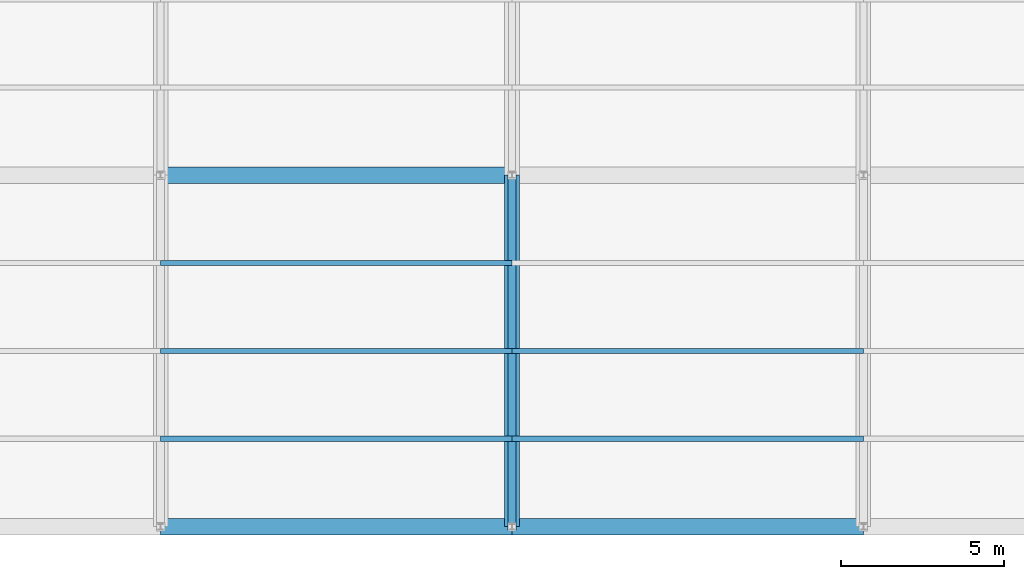
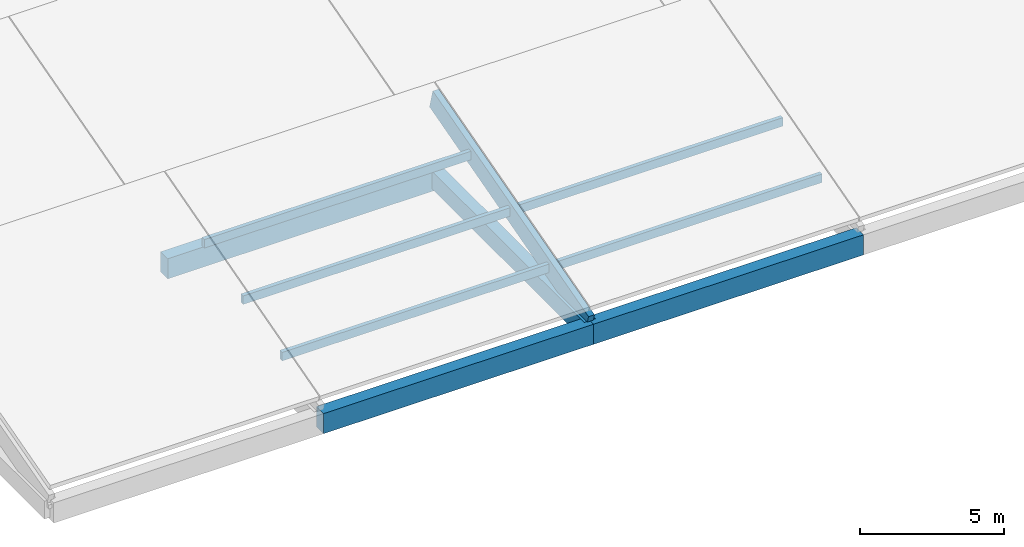
# One storey, part 2 of 112: 6 members, 4 beams.
"""IFC4 building model written with IfcOpenShell, lengths in metres."""

from ifc_helpers import new_model, si_unit, direction, frame, origin, origin_2d, place, context, subcontext, project, spatial, rectangle, extrude, material, material_profile, profile_set, type_object, element, save


model = new_model("IFC4")

# Units and contexts
model_context = context("Model", 3, precision=1e-05, world=origin(), true_north=direction((0.0, 1.0)))
body_context = subcontext(model_context, "Body", "Model", "MODEL_VIEW")
ifc_project = project(units=[si_unit("LENGTHUNIT", "METRE"), si_unit("AREAUNIT", "SQUARE_METRE"), si_unit("VOLUMEUNIT", "CUBIC_METRE"), si_unit("PLANEANGLEUNIT", "RADIAN"), si_unit("MASSUNIT", "GRAM", prefix="KILO")], contexts=[model_context])

# Site, building, storey
site_placement = place(None, origin())
site = spatial("IfcSite", under=ifc_project, at=site_placement, CompositionType="ELEMENT")
building_placement = place(site_placement, origin())
building = spatial("IfcBuilding", under=site, at=building_placement, Name="Zwinboog Wholesale Market", CompositionType="ELEMENT")
storey_placement = place(building_placement, frame((0.0, 0.0, 19.080078125)))
storey = spatial("IfcBuildingStorey", under=building, at=storey_placement, Name="Roof", CompositionType="ELEMENT", Elevation=19.080078125)

# Beams
ifc_material_1 = material(Name="Precast concrete C45/55", Category="concrete")
ifc_material_profile_1 = material_profile(ifc_material_1, rectangle(XDim=0.5, YDim=0.85009765625, at=origin_2d()), Name="PC 500x850")
ifc_profile_set_1 = profile_set([ifc_material_profile_1], Name="Precast concrete C45/55")
beam_type_1 = type_object("IfcBeamType", Name="BT-03", PredefinedType="BEAM", material=ifc_profile_set_1)
beam_1_placement = place(storey_placement, frame((10.800048828125, 0.0, -9.425048828125), z_axis=(1.0, 0.0, 0.0), x_axis=(0.0, 1.0, 0.0)))
element("IfcBeam", 1, at=beam_1_placement, inside=storey, type_object=beam_type_1, Name="BG-03 (BMG-Roof-0108-0000-1148)", PredefinedType="BEAM", context=body_context, shape_type="SweptSolid", body=[
    extrude(rectangle(XDim=0.5, YDim=0.85009765625, at=origin_2d()), origin(), (0.0, 0.0, 1.0), 10.800048828125),
])
beam_2_placement = place(storey_placement, frame((21.60009765625, 0.0, -9.425048828125), z_axis=(1.0, 0.0, 0.0), x_axis=(0.0, 1.0, 0.0)))
element("IfcBeam", 2, at=beam_2_placement, inside=storey, type_object=beam_type_1, Name="BG-03 (BMG-Roof-0216-0000-1149)", PredefinedType="BEAM", context=body_context, shape_type="SweptSolid", body=[
    extrude(rectangle(XDim=0.5, YDim=0.85009765625, at=origin_2d()), origin(), (0.0, 0.0, 1.0), 10.7998046875),
])
beam_3_placement = place(storey_placement, frame((10.800048828125, 10.800048828125, -9.425048828125), z_axis=(1.0, 0.0, 0.0), x_axis=(0.0, 1.0, 0.0)))
element("IfcBeam", 3, at=beam_3_placement, inside=storey, type_object=beam_type_1, Name="BG-03 (BMG-Roof-0108-0108-1152)", PredefinedType="BEAM", context=body_context, shape_type="SweptSolid", body=[
    extrude(rectangle(XDim=0.5, YDim=0.85009765625, at=origin_2d()), origin(), (0.0, 0.0, 1.0), 10.800048828125),
])
ifc_material_profile_2 = material_profile(ifc_material_1, rectangle(XDim=0.449951171875, YDim=0.75, at=origin_2d()), Name="PC 450x750")
ifc_profile_set_2 = profile_set([ifc_material_profile_2], Name="Precast concrete C45/55")
beam_type_2 = type_object("IfcBeamType", Name="BT-04", PredefinedType="BEAM", material=ifc_profile_set_2)
beam_4_placement = place(storey_placement, frame((21.60009765625, 0.0, -9.375), z_axis=(0.0, 1.0, 0.0), x_axis=(-1.0, 0.0, 0.0)))
element("IfcBeam", 4, at=beam_4_placement, inside=storey, type_object=beam_type_2, Name="BG-04 (BMG-Roof-0216-0000-1221)", PredefinedType="BEAM", context=body_context, shape_type="SweptSolid", body=[
    extrude(rectangle(XDim=0.449951171875, YDim=0.75, at=origin_2d()), origin(), (0.0, 0.0, 1.0), 10.800048828125),
])

# Members
ifc_material_2 = material(Name="Glulam GL28h", Category="wood")
ifc_material_profile_3 = material_profile(ifc_material_2, rectangle(XDim=0.239990234375, YDim=0.840087890625, at=origin_2d()), Name="GL28h 240x840")
ifc_profile_set_3 = profile_set([ifc_material_profile_3], Name="Glulam GL28h")
member_type_1 = type_object("IfcMemberType", Name="MT-09", PredefinedType="RAFTER", material=ifc_profile_set_3)
member_1_placement = place(storey_placement, frame((21.60009765625, 0.0, -9.125732421875), z_axis=(0.0, 0.963518221675, 0.26764274042), x_axis=(-1.0, 0.0, 0.0)))
element("IfcMember", 5, at=member_1_placement, inside=storey, type_object=member_type_1, Name="GR-01 (MEM-Roof-0673)", PredefinedType="RAFTER", context=body_context, shape_type="SweptSolid", body=[
    extrude(rectangle(XDim=0.239990234375, YDim=0.840087890625, at=origin_2d()), origin(), (0.0, 0.0, 1.0), 11.208984375),
])
ifc_material_profile_4 = material_profile(ifc_material_2, rectangle(XDim=0.159912109375, YDim=0.360107421875, at=origin_2d()), Name="GL28h 160x360")
ifc_profile_set_4 = profile_set([ifc_material_profile_4], Name="Glulam GL28h")
member_type_2 = type_object("IfcMemberType", Name="MT-12", PredefinedType="PURLIN", material=ifc_profile_set_4)
for number, where, z_axis, x_axis, name in (
    (6, (10.800048828125, 2.699951171875, -8.333251953125), (1.0, 0.0, 0.0), (0.0, 1.0, 0.0), "GP-01 (MEM-Roof-0669)"),
    (7, (10.800048828125, 8.10009765625, -6.833251953125), (1.0, 0.0, 0.0), (0.0, 1.0, 0.0), "GP-01 (MEM-Roof-0670)"),
):
    element("IfcMember", number, at=place(storey_placement, frame(where, z_axis=z_axis, x_axis=x_axis)), inside=storey, type_object=member_type_2, Name=name, PredefinedType="PURLIN", context=body_context, shape_type="SweptSolid", body=[
        extrude(rectangle(XDim=0.159912109375, YDim=0.360107421875, at=origin_2d()), origin(), (0.0, 0.0, 1.0), 10.800048828125),
    ])
member_2_placement = place(storey_placement, frame((21.60009765625, 2.699951171875, -8.345703125), z_axis=(1.0, 0.0, 0.0), x_axis=(0.0, 1.0, 0.0)))
element("IfcMember", 8, at=member_2_placement, inside=storey, type_object=member_type_2, Name="GP-01 (MEM-Roof-0674)", PredefinedType="PURLIN", context=body_context, shape_type="SweptSolid", body=[
    extrude(rectangle(XDim=0.159912109375, YDim=0.360107421875, at=origin_2d()), origin(), (0.0, 0.0, 1.0), 10.7998046875),
])
member_3_placement = place(storey_placement, frame((10.800048828125, 5.39990234375, -7.583251953125), z_axis=(1.0, 0.0, 0.0), x_axis=(0.0, 1.0, 0.0)))
element("IfcMember", 9, at=member_3_placement, inside=storey, type_object=member_type_2, Name="GP-01 (MEM-PRL-Roof-0002)", PredefinedType="PURLIN", context=body_context, shape_type="SweptSolid", body=[
    extrude(rectangle(XDim=0.159912109375, YDim=0.360107421875, at=origin_2d()), origin(), (0.0, 0.0, 1.0), 10.800048828125),
])
member_4_placement = place(storey_placement, frame((21.60009765625, 5.39990234375, -7.595703125), z_axis=(1.0, 0.0, 0.0), x_axis=(0.0, 1.0, 0.0)))
element("IfcMember", 10, at=member_4_placement, inside=storey, type_object=member_type_2, Name="GP-01 (MEM-PRL-Roof-0003)", PredefinedType="PURLIN", context=body_context, shape_type="SweptSolid", body=[
    extrude(rectangle(XDim=0.159912109375, YDim=0.360107421875, at=origin_2d()), origin(), (0.0, 0.0, 1.0), 10.7998046875),
])

save(model, "model.ifc")
